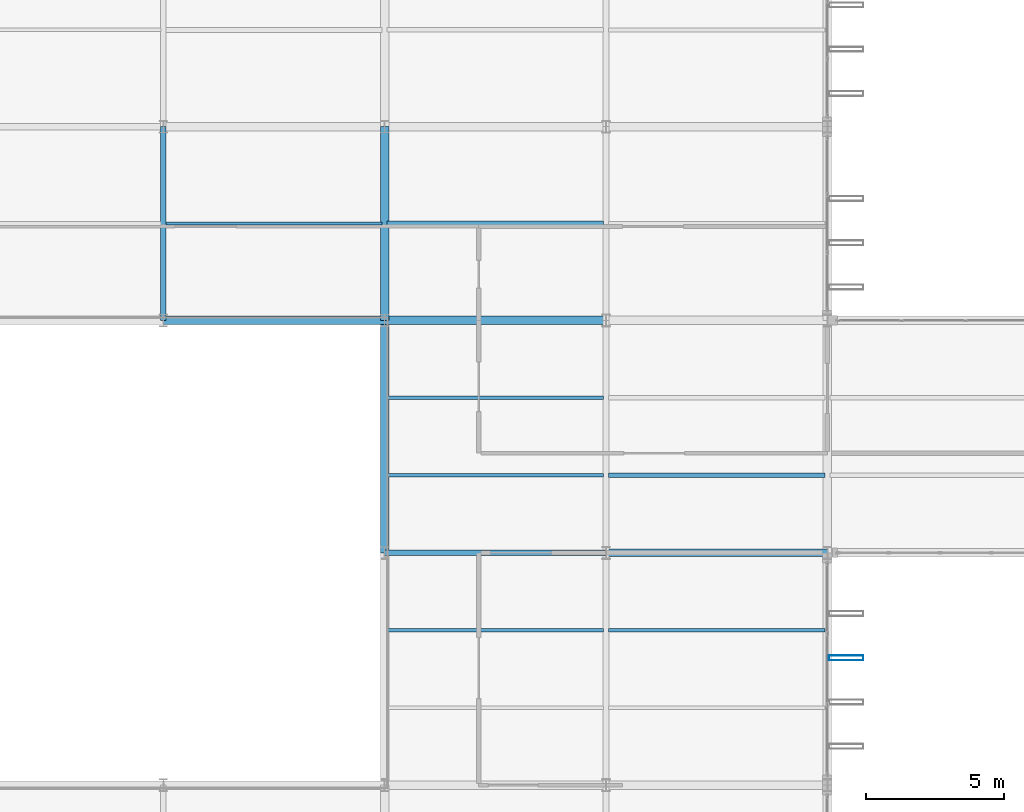
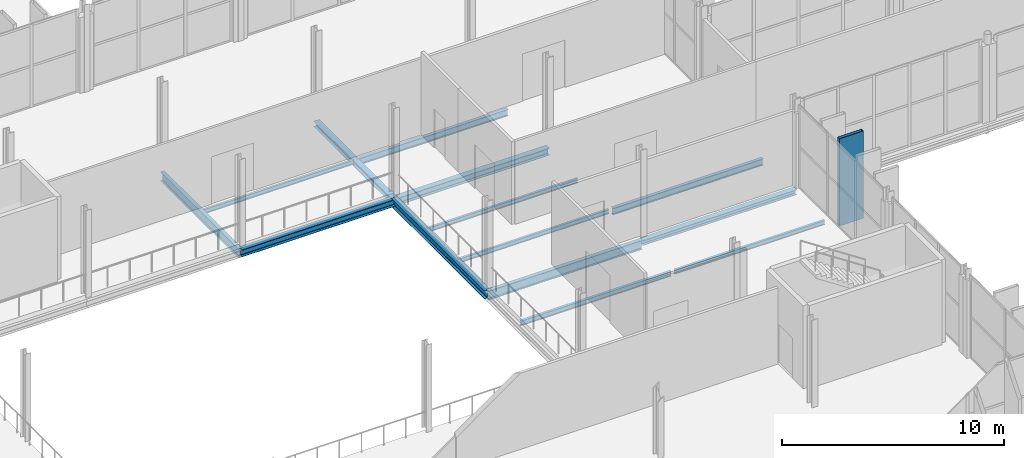
# One storey, part 45 of 120: 14 beams, 1 member.
"""IFC4 building model written with IfcOpenShell, lengths in metres."""

from ifc_helpers import new_model, si_unit, direction, frame, origin, origin_2d, place, context, subcontext, project, spatial, hollow_rectangle, i_section, extrude, material, material_profile, profile_set, type_object, element, save


model = new_model("IFC4")

# Units and contexts
model_context = context("Model", 3, precision=1e-05, world=origin(), true_north=direction((0.0, 1.0)))
body_context = subcontext(model_context, "Body", "Model", "MODEL_VIEW")
ifc_project = project(units=[si_unit("LENGTHUNIT", "METRE"), si_unit("AREAUNIT", "SQUARE_METRE"), si_unit("VOLUMEUNIT", "CUBIC_METRE"), si_unit("PLANEANGLEUNIT", "RADIAN"), si_unit("MASSUNIT", "GRAM", prefix="KILO")], contexts=[model_context])

# Site, building, storey
site_placement = place(None, origin())
site = spatial("IfcSite", under=ifc_project, at=site_placement, CompositionType="ELEMENT")
building_placement = place(site_placement, origin())
building = spatial("IfcBuilding", under=site, at=building_placement, Name="Vekula Escarpment Museum", CompositionType="ELEMENT")
storey_placement = place(building_placement, frame((0.0, 0.0, 13.199951171875)))
storey = spatial("IfcBuildingStorey", under=building, at=storey_placement, Name="L03", CompositionType="ELEMENT", Elevation=13.199951171875)

# Beams
ifc_material_1 = material(Name="Steel S355", Category="steel")
ifc_material_profile_1 = material_profile(ifc_material_1, i_section(OverallWidth=0.280029296875, OverallDepth=0.280029296875, WebThickness=0.010498046875, FlangeThickness=0.01806640625, FilletRadius=0.02392578125, at=origin_2d()), Name="HEB 280")
ifc_profile_set_1 = profile_set([ifc_material_profile_1], Name="Steel S355")
beam_type_1 = type_object("IfcBeamType", Name="BM-GIRD-HEB280", PredefinedType="BEAM", material=ifc_profile_set_1)
beam_1_placement = place(storey_placement, frame((118.0, 68.0, -0.389892578125), z_axis=(1.0, 0.0, 0.0), x_axis=(0.0, 1.0, 0.0)))
element("IfcBeam", 1, at=beam_1_placement, inside=storey, type_object=beam_type_1, Name="Beam X L03 1368", PredefinedType="BEAM", context=body_context, shape_type="SweptSolid", body=[
    extrude(i_section(OverallWidth=0.280029296875, OverallDepth=0.280029296875, WebThickness=0.010498046875, FlangeThickness=0.01806640625, FilletRadius=0.02392578125, at=origin_2d()), origin(), (0.0, 0.0, 1.0), 8.0),
])
ifc_material_2 = material(Name="Steel S355", Category="steel")
ifc_material_profile_2 = material_profile(ifc_material_2, i_section(OverallWidth=0.199951171875, OverallDepth=0.5, WebThickness=0.01025390625, FlangeThickness=0.01611328125, FilletRadius=0.02099609375, at=origin_2d()), Name="IPE 500")
ifc_profile_set_2 = profile_set([ifc_material_profile_2], Name="Steel S355")
beam_type_2 = type_object("IfcBeamType", Name="BM-GIRD-IPE500", PredefinedType="BEAM", material=ifc_profile_set_2)
beam_2_placement = place(storey_placement, frame((110.0, 68.0, -0.5), z_axis=(1.0, 0.0, 0.0), x_axis=(0.0, 1.0, 0.0)))
element("IfcBeam", 2, at=beam_2_placement, inside=storey, type_object=beam_type_2, Name="Beam X L03 1367", PredefinedType="BEAM", context=body_context, shape_type="SweptSolid", body=[
    extrude(i_section(OverallWidth=0.199951171875, OverallDepth=0.5, WebThickness=0.01025390625, FlangeThickness=0.01611328125, FilletRadius=0.02099609375, at=origin_2d()), origin(), (0.0, 0.0, 1.0), 8.0),
])
beam_3_placement = place(storey_placement, frame((102.0, 76.39990234375, -0.5), z_axis=(0.0, 1.0, 0.0), x_axis=(-1.0, 0.0, 0.0)))
element("IfcBeam", 3, at=beam_3_placement, inside=storey, type_object=beam_type_2, Name="Beam Y L03 1599", PredefinedType="BEAM", context=body_context, shape_type="SweptSolid", body=[
    extrude(i_section(OverallWidth=0.199951171875, OverallDepth=0.5, WebThickness=0.01025390625, FlangeThickness=0.01611328125, FilletRadius=0.02099609375, at=origin_2d()), origin(), (0.0, 0.0, 1.0), 7.0),
])
ifc_material_3 = material(Name="Steel S355", Category="steel")
ifc_material_profile_3 = material_profile(ifc_material_3, i_section(OverallWidth=0.1201171875, OverallDepth=0.239990234375, WebThickness=0.006103515625, FlangeThickness=0.009765625, FilletRadius=0.014892578125, at=origin_2d()), Name="IPE 240")
ifc_profile_set_3 = profile_set([ifc_material_profile_3], Name="Steel S355")
beam_type_3 = type_object("IfcBeamType", Name="BM-JST-IPE240", PredefinedType="JOIST", material=ifc_profile_set_3)
for number, where, z_axis, x_axis, name in (
    (4, (102.090087890625, 79.89990234375, -0.369873046875), (1.0, 0.0, 0.0), (0.0, 1.0, 0.0), "Secondary Joist L03 1049"),
    (5, (110.090087890625, 70.800048828125, -0.369873046875), (1.0, 0.0, 0.0), (0.0, 1.0, 0.0), "Secondary Joist L03 1061"),
    (6, (110.090087890625, 73.60009765625, -0.369873046875), (1.0, 0.0, 0.0), (0.0, 1.0, 0.0), "Secondary Joist L03 1062"),
    (7, (118.090087890625, 65.199951171875, -0.369873046875), (1.0, 0.0, 0.0), (0.0, 1.0, 0.0), "Secondary Joist L03 1069"),
):
    element("IfcBeam", number, at=place(storey_placement, frame(where, z_axis=z_axis, x_axis=x_axis)), inside=storey, type_object=beam_type_3, Name=name, PredefinedType="JOIST", context=body_context, shape_type="SweptSolid", body=[
        extrude(i_section(OverallWidth=0.1201171875, OverallDepth=0.239990234375, WebThickness=0.006103515625, FlangeThickness=0.009765625, FilletRadius=0.014892578125, at=origin_2d()), origin(), (0.0, 0.0, 1.0), 7.81982421875),
    ])
ifc_material_4 = material(Name="Steel S355", Category="steel")
ifc_material_profile_4 = material_profile(ifc_material_4, i_section(OverallWidth=0.135009765625, OverallDepth=0.27001953125, WebThickness=0.006591796875, FlangeThickness=0.01025390625, FilletRadius=0.014892578125, at=origin_2d()), Name="IPE 270")
ifc_profile_set_4 = profile_set([ifc_material_profile_4], Name="Steel S355")
beam_type_4 = type_object("IfcBeamType", Name="BM-JST-IPE270", PredefinedType="JOIST", material=ifc_profile_set_4)
beam_4_placement = place(storey_placement, frame((110.090087890625, 65.199951171875, -0.385009765625), z_axis=(1.0, 0.0, 0.0), x_axis=(0.0, 1.0, 0.0)))
element("IfcBeam", 8, at=beam_4_placement, inside=storey, type_object=beam_type_4, Name="Secondary Joist L03 1060", PredefinedType="JOIST", context=body_context, shape_type="SweptSolid", body=[
    extrude(i_section(OverallWidth=0.135009765625, OverallDepth=0.27001953125, WebThickness=0.006591796875, FlangeThickness=0.01025390625, FilletRadius=0.014892578125, at=origin_2d()), origin(), (0.0, 0.0, 1.0), 7.81982421875),
])
ifc_material_5 = material(Name="Steel S355", Category="steel")
ifc_material_profile_5 = material_profile(ifc_material_5, i_section(OverallWidth=0.169921875, OverallDepth=0.360107421875, WebThickness=0.008056640625, FlangeThickness=0.0126953125, FilletRadius=0.01806640625, at=origin_2d()), Name="IPE 360")
ifc_profile_set_5 = profile_set([ifc_material_profile_5], Name="Steel S355")
beam_type_5 = type_object("IfcBeamType", Name="BM-JST-IPE360", PredefinedType="JOIST", material=ifc_profile_set_5)
for number, where, z_axis, x_axis, name in (
    (9, (110.090087890625, 79.89990234375, -0.429931640625), (1.0, 0.0, 0.0), (0.0, 1.0, 0.0), "Secondary Joist L03 1063"),
    (10, (118.090087890625, 70.800048828125, -0.429931640625), (1.0, 0.0, 0.0), (0.0, 1.0, 0.0), "Secondary Joist L03 1070"),
):
    element("IfcBeam", number, at=place(storey_placement, frame(where, z_axis=z_axis, x_axis=x_axis)), inside=storey, type_object=beam_type_5, Name=name, PredefinedType="JOIST", context=body_context, shape_type="SweptSolid", body=[
        extrude(i_section(OverallWidth=0.169921875, OverallDepth=0.360107421875, WebThickness=0.008056640625, FlangeThickness=0.0126953125, FilletRadius=0.01806640625, at=origin_2d()), origin(), (0.0, 0.0, 1.0), 7.81982421875),
    ])
ifc_material_6 = material(Name="Steel S355", Category="steel")
ifc_material_profile_6 = material_profile(ifc_material_6, i_section(OverallWidth=0.300048828125, OverallDepth=0.2900390625, WebThickness=0.008544921875, FlangeThickness=0.013916015625, FilletRadius=0.027099609375, at=origin_2d()), Name="HEA 300")
ifc_profile_set_6 = profile_set([ifc_material_profile_6], Name="Steel S355")
beam_type_6 = type_object("IfcBeamType", Name="BM-SPAN-HEA300", PredefinedType="SPANDREL", material=ifc_profile_set_6)
beam_5_placement = place(storey_placement, frame((110.0, 76.39990234375, -0.39501953125), z_axis=(0.0, 1.0, 0.0), x_axis=(-1.0, 0.0, 0.0)))
element("IfcBeam", 11, at=beam_5_placement, inside=storey, type_object=beam_type_6, Name="Beam Y L03 1613", PredefinedType="SPANDREL", context=body_context, shape_type="SweptSolid", body=[
    extrude(i_section(OverallWidth=0.300048828125, OverallDepth=0.2900390625, WebThickness=0.008544921875, FlangeThickness=0.013916015625, FilletRadius=0.027099609375, at=origin_2d()), origin(), (0.0, 0.0, 1.0), 7.0),
])
ifc_material_7 = material(Name="Steel S355", Category="steel")
ifc_material_profile_7 = material_profile(ifc_material_7, i_section(OverallWidth=0.300048828125, OverallDepth=0.389892578125, WebThickness=0.010986328125, FlangeThickness=0.01904296875, FilletRadius=0.027099609375, at=origin_2d()), Name="HEA 400")
ifc_profile_set_7 = profile_set([ifc_material_profile_7], Name="Steel S355")
beam_type_7 = type_object("IfcBeamType", Name="BM-SPAN-HEA400", PredefinedType="SPANDREL", material=ifc_profile_set_7)
for number, where, z_axis, x_axis, name in (
    (12, (102.0, 76.39990234375, -0.445068359375), (1.0, 0.0, 0.0), (0.0, 1.0, 0.0), "Beam X L03 1388"),
    (13, (110.0, 76.39990234375, -0.445068359375), (1.0, 0.0, 0.0), (0.0, 1.0, 0.0), "Beam X L03 1389"),
):
    element("IfcBeam", number, at=place(storey_placement, frame(where, z_axis=z_axis, x_axis=x_axis)), inside=storey, type_object=beam_type_7, Name=name, PredefinedType="SPANDREL", context=body_context, shape_type="SweptSolid", body=[
        extrude(i_section(OverallWidth=0.300048828125, OverallDepth=0.389892578125, WebThickness=0.010986328125, FlangeThickness=0.01904296875, FilletRadius=0.027099609375, at=origin_2d()), origin(), (0.0, 0.0, 1.0), 8.0),
    ])
ifc_material_8 = material(Name="Steel S355", Category="steel")
ifc_material_profile_8 = material_profile(ifc_material_8, i_section(OverallWidth=0.300048828125, OverallDepth=0.43994140625, WebThickness=0.011474609375, FlangeThickness=0.02099609375, FilletRadius=0.027099609375, at=origin_2d()), Name="HEA 450")
ifc_profile_set_8 = profile_set([ifc_material_profile_8], Name="Steel S355")
beam_type_8 = type_object("IfcBeamType", Name="BM-SPAN-HEA450", PredefinedType="SPANDREL", material=ifc_profile_set_8)
beam_6_placement = place(storey_placement, frame((110.0, 68.0, -0.469970703125), z_axis=(0.0, 1.0, 0.0), x_axis=(-1.0, 0.0, 0.0)))
element("IfcBeam", 14, at=beam_6_placement, inside=storey, type_object=beam_type_8, Name="Beam Y L03 1612", PredefinedType="SPANDREL", context=body_context, shape_type="SweptSolid", body=[
    extrude(i_section(OverallWidth=0.300048828125, OverallDepth=0.43994140625, WebThickness=0.011474609375, FlangeThickness=0.02099609375, FilletRadius=0.027099609375, at=origin_2d()), origin(), (0.0, 0.0, 1.0), 8.39990234375),
])

# Member
ifc_material_9 = material(Name="Steel S355 weathered bronze solar fin", Category="steel")
ifc_material_profile_9 = material_profile(ifc_material_9, hollow_rectangle(XDim=0.179931640625, YDim=1.25, WallThickness=0.010009765625, InnerFilletRadius=0.010009765625, OuterFilletRadius=0.02001953125, at=origin_2d()), Name="RHS 1250x180x10")
ifc_profile_set_9 = profile_set([ifc_material_profile_9], Name="Steel S355 weathered bronze solar fin")
member_type = type_object("IfcMemberType", Name="MB-SOLAR-FIN", PredefinedType="USERDEFINED", material=ifc_profile_set_9)
member_placement = place(storey_placement, frame((126.679931640625, 64.199951171875, 0.0), z_axis=(0.0, 0.0, 1.0), x_axis=(0.0, 1.0, 0.0)))
element("IfcMember", 15, at=member_placement, inside=storey, type_object=member_type, Name="Great Hall Vertical Solar Fin 0378", ObjectType="SOLAR FIN", PredefinedType="USERDEFINED", context=body_context, shape_type="SweptSolid", body=[
    extrude(hollow_rectangle(XDim=0.179931640625, YDim=1.25, WallThickness=0.010009765625, InnerFilletRadius=0.010009765625, OuterFilletRadius=0.02001953125, at=origin_2d()), origin(), (0.0, 0.0, 1.0), 4.800048828125),
])

save(model, "model.ifc")
